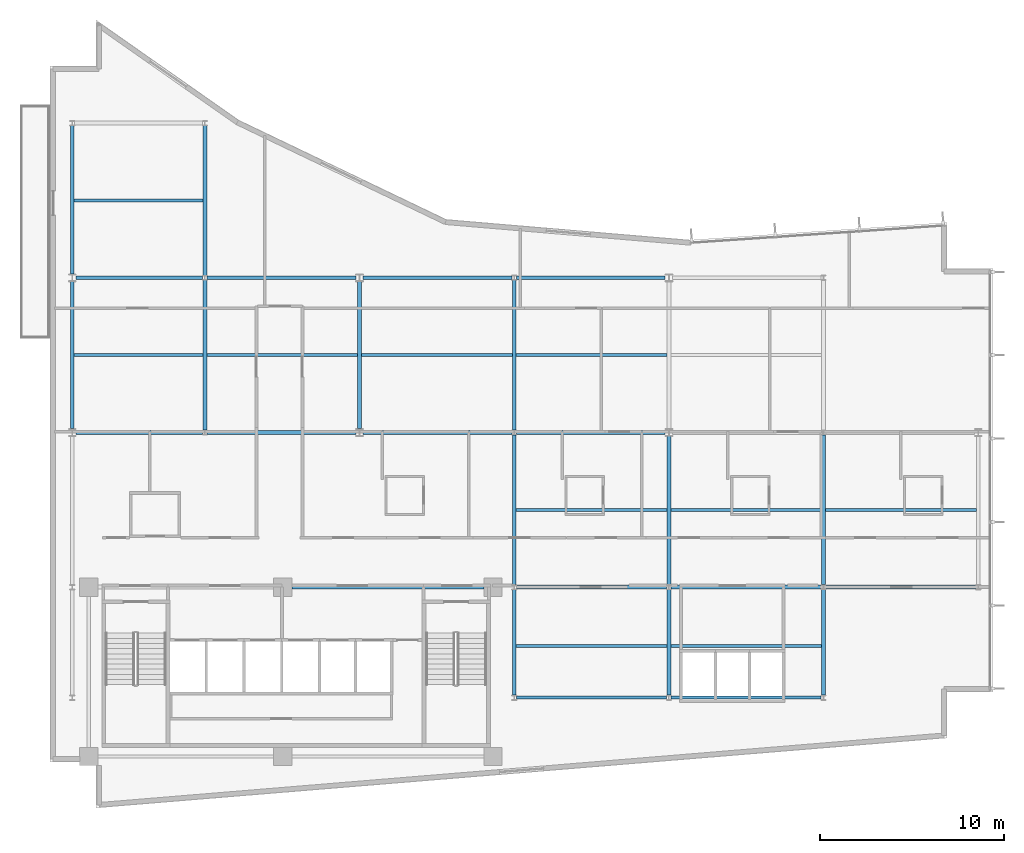
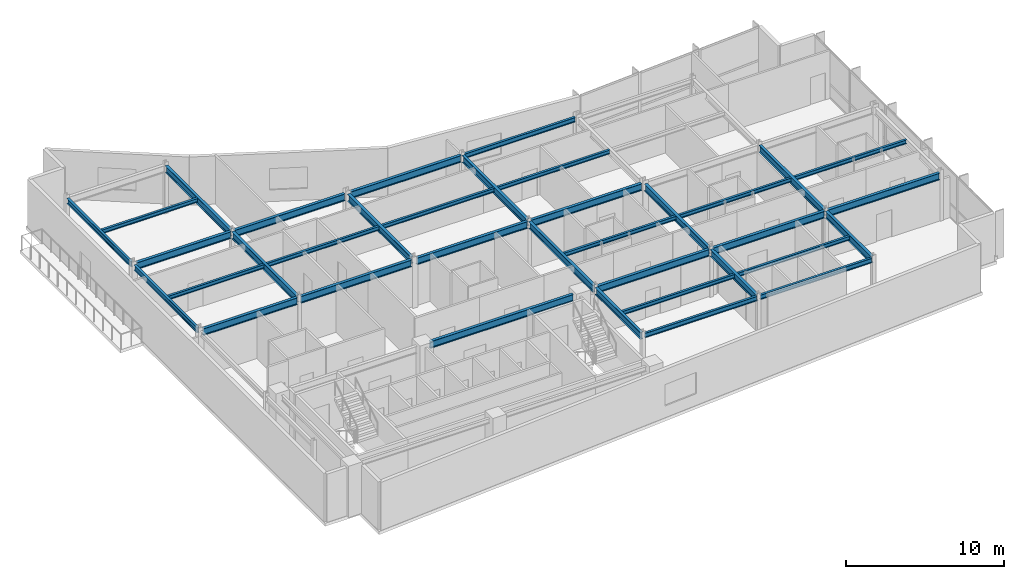
# One storey, part 4 of 17: 36 beams.
"""IFC4 building model written with IfcOpenShell, lengths in metres."""

from ifc_helpers import new_model, si_unit, direction, frame, origin, origin_2d, place, context, subcontext, project, spatial, i_section, extrude, material, material_profile, profile_set, type_object, element, save


model = new_model("IFC4")

# Units and contexts
model_context = context("Model", 3, precision=1e-05, world=origin(), true_north=direction((0.0, 1.0)))
body_context = subcontext(model_context, "Body", "Model", "MODEL_VIEW")
ifc_project = project(units=[si_unit("LENGTHUNIT", "METRE"), si_unit("AREAUNIT", "SQUARE_METRE"), si_unit("VOLUMEUNIT", "CUBIC_METRE"), si_unit("PLANEANGLEUNIT", "RADIAN"), si_unit("MASSUNIT", "GRAM", prefix="KILO")], contexts=[model_context])

# Site, building, storey
site_placement = place(None, origin())
site = spatial("IfcSite", under=ifc_project, at=site_placement, CompositionType="ELEMENT")
building_placement = place(site_placement, origin())
building = spatial("IfcBuilding", under=site, at=building_placement, Name="Varnakote Quay Hospital", CompositionType="ELEMENT")
storey_placement = place(building_placement, frame((0.0, 0.0, 184.199951171875)))
storey = spatial("IfcBuildingStorey", under=building, at=storey_placement, Name="L45", CompositionType="ELEMENT", Elevation=184.199951171875)

# Beams
ifc_material_1 = material(Name="Structural steel AS/NZS 3679.1 Grade 350 L0 (fy 340 MPa)", Category="steel")
ifc_material_profile_1 = material_profile(ifc_material_1, i_section(OverallWidth=0.208984375, OverallDepth=0.532958984375, WebThickness=0.01025390625, FlangeThickness=0.015625, FilletRadius=0.013916015625, at=origin_2d()), Name="530UB92.4")
ifc_profile_set_1 = profile_set([ifc_material_profile_1], Name="Structural steel AS/NZS 3679.1 Grade 350 L0 (fy 340 MPa)")
beam_type_1 = type_object("IfcBeamType", Name="BM-STL-530UB92-4", PredefinedType="BEAM", material=ifc_profile_set_1)
beam_1_placement = place(storey_placement, frame((13.1201171875, 12.0, 3.443603515625), z_axis=(1.0, 0.0, 0.0), x_axis=(0.0, 1.0, 0.0)))
element("IfcBeam", 1, at=beam_1_placement, inside=storey, type_object=beam_type_1, Name="L45 Primary Floor Beam", PredefinedType="BEAM", context=body_context, shape_type="SweptSolid", body=[
    extrude(i_section(OverallWidth=0.208984375, OverallDepth=0.532958984375, WebThickness=0.01025390625, FlangeThickness=0.015625, FilletRadius=0.013916015625, at=origin_2d()), origin(), (0.0, 0.0, 1.0), 10.429931640625),
])
for number, where, z_axis, x_axis, name in (
    (2, (25.327880859375, 12.0, 3.443603515625), (1.0, 0.0, 0.0), (0.0, 1.0, 0.0), "L45 Primary Floor Beam"),
    (3, (33.72802734375, 12.0, 3.443603515625), (1.0, 0.0, 0.0), (0.0, 1.0, 0.0), "L45 Primary Floor Beam"),
    (4, (42.1279296875, 12.0, 3.443603515625), (1.0, 0.0, 0.0), (0.0, 1.0, 0.0), "L45 Primary Floor Beam"),
):
    element("IfcBeam", number, at=place(storey_placement, frame(where, z_axis=z_axis, x_axis=x_axis)), inside=storey, type_object=beam_type_1, Name=name, PredefinedType="BEAM", context=body_context, shape_type="SweptSolid", body=[
        extrude(i_section(OverallWidth=0.208984375, OverallDepth=0.532958984375, WebThickness=0.01025390625, FlangeThickness=0.015625, FilletRadius=0.013916015625, at=origin_2d()), origin(), (0.0, 0.0, 1.0), 8.14404296875),
    ])
beam_2_placement = place(storey_placement, frame((1.39990234375, 20.39990234375, 3.443603515625), z_axis=(1.0, 0.0, 0.0), x_axis=(0.0, 1.0, 0.0)))
element("IfcBeam", 5, at=beam_2_placement, inside=storey, type_object=beam_type_1, Name="L45 Primary Floor Beam", PredefinedType="BEAM", context=body_context, shape_type="SweptSolid", body=[
    extrude(i_section(OverallWidth=0.208984375, OverallDepth=0.532958984375, WebThickness=0.01025390625, FlangeThickness=0.015625, FilletRadius=0.013916015625, at=origin_2d()), origin(), (0.0, 0.0, 1.0), 6.8720703125),
])
for number, where, z_axis, x_axis, name in (
    (6, (8.528076171875, 20.39990234375, 3.443603515625), (1.0, 0.0, 0.0), (0.0, 1.0, 0.0), "L45 Primary Floor Beam"),
    (7, (17.0, 20.39990234375, 3.443603515625), (1.0, 0.0, 0.0), (0.0, 1.0, 0.0), "L45 Primary Floor Beam"),
    (8, (25.327880859375, 20.39990234375, 3.443603515625), (1.0, 0.0, 0.0), (0.0, 1.0, 0.0), "L45 Primary Floor Beam"),
):
    element("IfcBeam", number, at=place(storey_placement, frame(where, z_axis=z_axis, x_axis=x_axis)), inside=storey, type_object=beam_type_1, Name=name, PredefinedType="BEAM", context=body_context, shape_type="SweptSolid", body=[
        extrude(i_section(OverallWidth=0.208984375, OverallDepth=0.532958984375, WebThickness=0.01025390625, FlangeThickness=0.015625, FilletRadius=0.013916015625, at=origin_2d()), origin(), (0.0, 0.0, 1.0), 8.072021484375),
    ])
beam_3_placement = place(storey_placement, frame((1.39990234375, 28.800048828125, 3.443603515625), z_axis=(1.0, 0.0, 0.0), x_axis=(0.0, 1.0, 0.0)))
element("IfcBeam", 9, at=beam_3_placement, inside=storey, type_object=beam_type_1, Name="L45 Primary Floor Beam", PredefinedType="BEAM", context=body_context, shape_type="SweptSolid", body=[
    extrude(i_section(OverallWidth=0.208984375, OverallDepth=0.532958984375, WebThickness=0.01025390625, FlangeThickness=0.015625, FilletRadius=0.013916015625, at=origin_2d()), origin(), (0.0, 0.0, 1.0), 6.8720703125),
])
for number, where, z_axis, x_axis, name in (
    (10, (8.528076171875, 28.800048828125, 3.443603515625), (1.0, 0.0, 0.0), (0.0, 1.0, 0.0), "L45 Primary Floor Beam"),
    (11, (17.0, 28.800048828125, 3.443603515625), (1.0, 0.0, 0.0), (0.0, 1.0, 0.0), "L45 Primary Floor Beam"),
):
    element("IfcBeam", number, at=place(storey_placement, frame(where, z_axis=z_axis, x_axis=x_axis)), inside=storey, type_object=beam_type_1, Name=name, PredefinedType="BEAM", context=body_context, shape_type="SweptSolid", body=[
        extrude(i_section(OverallWidth=0.208984375, OverallDepth=0.532958984375, WebThickness=0.01025390625, FlangeThickness=0.015625, FilletRadius=0.013916015625, at=origin_2d()), origin(), (0.0, 0.0, 1.0), 8.072021484375),
    ])
beam_4_placement = place(storey_placement, frame((8.39990234375, 20.530029296875, 3.443603515625), z_axis=(0.0, 1.0, 0.0), x_axis=(-1.0, 0.0, 0.0)))
element("IfcBeam", 12, at=beam_4_placement, inside=storey, type_object=beam_type_1, Name="L45 Primary Tie Beam", PredefinedType="BEAM", context=body_context, shape_type="SweptSolid", body=[
    extrude(i_section(OverallWidth=0.208984375, OverallDepth=0.532958984375, WebThickness=0.01025390625, FlangeThickness=0.015625, FilletRadius=0.013916015625, at=origin_2d()), origin(), (0.0, 0.0, 1.0), 8.139892578125),
])
beam_5_placement = place(storey_placement, frame((8.39990234375, 28.929931640625, 3.443603515625), z_axis=(0.0, 1.0, 0.0), x_axis=(-1.0, 0.0, 0.0)))
element("IfcBeam", 13, at=beam_5_placement, inside=storey, type_object=beam_type_1, Name="L45 Primary Tie Beam", PredefinedType="BEAM", context=body_context, shape_type="SweptSolid", body=[
    extrude(i_section(OverallWidth=0.208984375, OverallDepth=0.532958984375, WebThickness=0.01025390625, FlangeThickness=0.015625, FilletRadius=0.013916015625, at=origin_2d()), origin(), (0.0, 0.0, 1.0), 8.14013671875),
])
beam_6_placement = place(storey_placement, frame((16.800048828125, 20.60205078125, 3.443603515625), z_axis=(0.0, 1.0, 0.0), x_axis=(-1.0, 0.0, 0.0)))
element("IfcBeam", 14, at=beam_6_placement, inside=storey, type_object=beam_type_1, Name="L45 Primary Tie Beam", PredefinedType="BEAM", context=body_context, shape_type="SweptSolid", body=[
    extrude(i_section(OverallWidth=0.208984375, OverallDepth=0.532958984375, WebThickness=0.01025390625, FlangeThickness=0.015625, FilletRadius=0.013916015625, at=origin_2d()), origin(), (0.0, 0.0, 1.0), 7.995849609375),
])
beam_7_placement = place(storey_placement, frame((25.199951171875, 6.1298828125, 3.443603515625), z_axis=(0.0, 1.0, 0.0), x_axis=(-1.0, 0.0, 0.0)))
element("IfcBeam", 15, at=beam_7_placement, inside=storey, type_object=beam_type_1, Name="L45 Primary Tie Beam", PredefinedType="BEAM", context=body_context, shape_type="SweptSolid", body=[
    extrude(i_section(OverallWidth=0.208984375, OverallDepth=0.532958984375, WebThickness=0.01025390625, FlangeThickness=0.015625, FilletRadius=0.013916015625, at=origin_2d()), origin(), (0.0, 0.0, 1.0), 5.740234375),
])
beam_8_placement = place(storey_placement, frame((25.199951171875, 12.1298828125, 3.443603515625), z_axis=(0.0, 1.0, 0.0), x_axis=(-1.0, 0.0, 0.0)))
element("IfcBeam", 16, at=beam_8_placement, inside=storey, type_object=beam_type_1, Name="L45 Primary Tie Beam", PredefinedType="BEAM", context=body_context, shape_type="SweptSolid", body=[
    extrude(i_section(OverallWidth=0.208984375, OverallDepth=0.532958984375, WebThickness=0.01025390625, FlangeThickness=0.015625, FilletRadius=0.013916015625, at=origin_2d()), origin(), (0.0, 0.0, 1.0), 8.14013671875),
])
beam_9_placement = place(storey_placement, frame((25.199951171875, 20.530029296875, 3.443603515625), z_axis=(0.0, 1.0, 0.0), x_axis=(-1.0, 0.0, 0.0)))
element("IfcBeam", 17, at=beam_9_placement, inside=storey, type_object=beam_type_1, Name="L45 Primary Tie Beam", PredefinedType="BEAM", context=body_context, shape_type="SweptSolid", body=[
    extrude(i_section(OverallWidth=0.208984375, OverallDepth=0.532958984375, WebThickness=0.01025390625, FlangeThickness=0.015625, FilletRadius=0.013916015625, at=origin_2d()), origin(), (0.0, 0.0, 1.0), 8.139892578125),
])
beam_10_placement = place(storey_placement, frame((33.60009765625, 6.1298828125, 3.443603515625), z_axis=(0.0, 1.0, 0.0), x_axis=(-1.0, 0.0, 0.0)))
element("IfcBeam", 18, at=beam_10_placement, inside=storey, type_object=beam_type_1, Name="L45 Primary Tie Beam", PredefinedType="BEAM", context=body_context, shape_type="SweptSolid", body=[
    extrude(i_section(OverallWidth=0.208984375, OverallDepth=0.532958984375, WebThickness=0.01025390625, FlangeThickness=0.015625, FilletRadius=0.013916015625, at=origin_2d()), origin(), (0.0, 0.0, 1.0), 5.740234375),
])
beam_11_placement = place(storey_placement, frame((33.60009765625, 12.1298828125, 3.443603515625), z_axis=(0.0, 1.0, 0.0), x_axis=(-1.0, 0.0, 0.0)))
element("IfcBeam", 19, at=beam_11_placement, inside=storey, type_object=beam_type_1, Name="L45 Primary Tie Beam", PredefinedType="BEAM", context=body_context, shape_type="SweptSolid", body=[
    extrude(i_section(OverallWidth=0.208984375, OverallDepth=0.532958984375, WebThickness=0.01025390625, FlangeThickness=0.015625, FilletRadius=0.013916015625, at=origin_2d()), origin(), (0.0, 0.0, 1.0), 8.068115234375),
])
beam_12_placement = place(storey_placement, frame((42.0, 6.1298828125, 3.443603515625), z_axis=(0.0, 1.0, 0.0), x_axis=(-1.0, 0.0, 0.0)))
element("IfcBeam", 20, at=beam_12_placement, inside=storey, type_object=beam_type_1, Name="L45 Primary Tie Beam", PredefinedType="BEAM", context=body_context, shape_type="SweptSolid", body=[
    extrude(i_section(OverallWidth=0.208984375, OverallDepth=0.532958984375, WebThickness=0.01025390625, FlangeThickness=0.015625, FilletRadius=0.013916015625, at=origin_2d()), origin(), (0.0, 0.0, 1.0), 5.740234375),
])
beam_13_placement = place(storey_placement, frame((42.0, 12.1298828125, 3.443603515625), z_axis=(0.0, 1.0, 0.0), x_axis=(-1.0, 0.0, 0.0)))
element("IfcBeam", 21, at=beam_13_placement, inside=storey, type_object=beam_type_1, Name="L45 Primary Tie Beam", PredefinedType="BEAM", context=body_context, shape_type="SweptSolid", body=[
    extrude(i_section(OverallWidth=0.208984375, OverallDepth=0.532958984375, WebThickness=0.01025390625, FlangeThickness=0.015625, FilletRadius=0.013916015625, at=origin_2d()), origin(), (0.0, 0.0, 1.0), 8.14013671875),
])
ifc_material_2 = material(Name="Structural steel AS/NZS 3679.1 Grade 350 L0 (fy 340 MPa)", Category="steel")
ifc_material_profile_2 = material_profile(ifc_material_2, i_section(OverallWidth=0.1650390625, OverallDepth=0.303955078125, WebThickness=0.006103515625, FlangeThickness=0.01025390625, FilletRadius=0.011474609375, at=origin_2d()), Name="310UB40.4")
ifc_profile_set_2 = profile_set([ifc_material_profile_2], Name="Structural steel AS/NZS 3679.1 Grade 350 L0 (fy 340 MPa)")
beam_type_2 = type_object("IfcBeamType", Name="JST-STL-310UB40-4", PredefinedType="JOIST", material=ifc_profile_set_2)
beam_14_placement = place(storey_placement, frame((25.304443359375, 8.800048828125, 3.55810546875), z_axis=(1.0, 0.0, 0.0), x_axis=(0.0, 1.0, 0.0)))
element("IfcBeam", 22, at=beam_14_placement, inside=storey, type_object=beam_type_2, Name="L45 Composite Floor Joist", PredefinedType="JOIST", context=body_context, shape_type="SweptSolid", body=[
    extrude(i_section(OverallWidth=0.1650390625, OverallDepth=0.303955078125, WebThickness=0.006103515625, FlangeThickness=0.01025390625, FilletRadius=0.011474609375, at=origin_2d()), origin(), (0.0, 0.0, 1.0), 8.191162109375),
])
beam_15_placement = place(storey_placement, frame((33.70458984375, 8.800048828125, 3.55810546875), z_axis=(1.0, 0.0, 0.0), x_axis=(0.0, 1.0, 0.0)))
element("IfcBeam", 23, at=beam_15_placement, inside=storey, type_object=beam_type_2, Name="L45 Composite Floor Joist", PredefinedType="JOIST", context=body_context, shape_type="SweptSolid", body=[
    extrude(i_section(OverallWidth=0.1650390625, OverallDepth=0.303955078125, WebThickness=0.006103515625, FlangeThickness=0.01025390625, FilletRadius=0.011474609375, at=origin_2d()), origin(), (0.0, 0.0, 1.0), 8.19091796875),
])
beam_16_placement = place(storey_placement, frame((25.304443359375, 16.199951171875, 3.55810546875), z_axis=(1.0, 0.0, 0.0), x_axis=(0.0, 1.0, 0.0)))
element("IfcBeam", 24, at=beam_16_placement, inside=storey, type_object=beam_type_2, Name="L45 Composite Floor Joist", PredefinedType="JOIST", context=body_context, shape_type="SweptSolid", body=[
    extrude(i_section(OverallWidth=0.1650390625, OverallDepth=0.303955078125, WebThickness=0.006103515625, FlangeThickness=0.01025390625, FilletRadius=0.011474609375, at=origin_2d()), origin(), (0.0, 0.0, 1.0), 8.191162109375),
])
for number, where, z_axis, x_axis, name in (
    (25, (33.70458984375, 16.199951171875, 3.55810546875), (1.0, 0.0, 0.0), (0.0, 1.0, 0.0), "L45 Composite Floor Joist"),
    (26, (42.1044921875, 16.199951171875, 3.55810546875), (1.0, 0.0, 0.0), (0.0, 1.0, 0.0), "L45 Composite Floor Joist"),
):
    element("IfcBeam", number, at=place(storey_placement, frame(where, z_axis=z_axis, x_axis=x_axis)), inside=storey, type_object=beam_type_2, Name=name, PredefinedType="JOIST", context=body_context, shape_type="SweptSolid", body=[
        extrude(i_section(OverallWidth=0.1650390625, OverallDepth=0.303955078125, WebThickness=0.006103515625, FlangeThickness=0.01025390625, FilletRadius=0.011474609375, at=origin_2d()), origin(), (0.0, 0.0, 1.0), 8.19091796875),
    ])
beam_17_placement = place(storey_placement, frame((1.2890625, 24.60009765625, 3.55810546875), z_axis=(1.0, 0.0, 0.0), x_axis=(0.0, 1.0, 0.0)))
element("IfcBeam", 27, at=beam_17_placement, inside=storey, type_object=beam_type_2, Name="L45 Composite Floor Joist", PredefinedType="JOIST", context=body_context, shape_type="SweptSolid", body=[
    extrude(i_section(OverallWidth=0.1650390625, OverallDepth=0.303955078125, WebThickness=0.006103515625, FlangeThickness=0.01025390625, FilletRadius=0.011474609375, at=origin_2d()), origin(), (0.0, 0.0, 1.0), 7.00634765625),
])
beam_18_placement = place(storey_placement, frame((8.50439453125, 24.60009765625, 3.55810546875), z_axis=(1.0, 0.0, 0.0), x_axis=(0.0, 1.0, 0.0)))
element("IfcBeam", 28, at=beam_18_placement, inside=storey, type_object=beam_type_2, Name="L45 Composite Floor Joist", PredefinedType="JOIST", context=body_context, shape_type="SweptSolid", body=[
    extrude(i_section(OverallWidth=0.1650390625, OverallDepth=0.303955078125, WebThickness=0.006103515625, FlangeThickness=0.01025390625, FilletRadius=0.011474609375, at=origin_2d()), origin(), (0.0, 0.0, 1.0), 8.191162109375),
])
beam_19_placement = place(storey_placement, frame((16.904541015625, 24.60009765625, 3.55810546875), z_axis=(1.0, 0.0, 0.0), x_axis=(0.0, 1.0, 0.0)))
element("IfcBeam", 29, at=beam_19_placement, inside=storey, type_object=beam_type_2, Name="L45 Composite Floor Joist", PredefinedType="JOIST", context=body_context, shape_type="SweptSolid", body=[
    extrude(i_section(OverallWidth=0.1650390625, OverallDepth=0.303955078125, WebThickness=0.006103515625, FlangeThickness=0.01025390625, FilletRadius=0.011474609375, at=origin_2d()), origin(), (0.0, 0.0, 1.0), 8.19091796875),
])
beam_20_placement = place(storey_placement, frame((25.304443359375, 24.60009765625, 3.55810546875), z_axis=(1.0, 0.0, 0.0), x_axis=(0.0, 1.0, 0.0)))
element("IfcBeam", 30, at=beam_20_placement, inside=storey, type_object=beam_type_2, Name="L45 Composite Floor Joist", PredefinedType="JOIST", context=body_context, shape_type="SweptSolid", body=[
    extrude(i_section(OverallWidth=0.1650390625, OverallDepth=0.303955078125, WebThickness=0.006103515625, FlangeThickness=0.01025390625, FilletRadius=0.011474609375, at=origin_2d()), origin(), (0.0, 0.0, 1.0), 8.191162109375),
])
beam_21_placement = place(storey_placement, frame((1.2890625, 33.0, 3.55810546875), z_axis=(1.0, 0.0, 0.0), x_axis=(0.0, 1.0, 0.0)))
element("IfcBeam", 31, at=beam_21_placement, inside=storey, type_object=beam_type_2, Name="L45 Composite Floor Joist", PredefinedType="JOIST", context=body_context, shape_type="SweptSolid", body=[
    extrude(i_section(OverallWidth=0.1650390625, OverallDepth=0.303955078125, WebThickness=0.006103515625, FlangeThickness=0.01025390625, FilletRadius=0.011474609375, at=origin_2d()), origin(), (0.0, 0.0, 1.0), 7.00634765625),
])
ifc_material_3 = material(Name="Structural steel AS/NZS 3679.1 Grade 350 L0 (fy 340 MPa)", Category="steel")
ifc_material_profile_3 = material_profile(ifc_material_3, i_section(OverallWidth=0.172119140625, OverallDepth=0.35888671875, WebThickness=0.008056640625, FlangeThickness=0.012939453125, FilletRadius=0.011474609375, at=origin_2d()), Name="360UB56.7")
ifc_profile_set_3 = profile_set([ifc_material_profile_3], Name="Structural steel AS/NZS 3679.1 Grade 350 L0 (fy 340 MPa)")
beam_type_3 = type_object("IfcBeamType", Name="SPN-STL-360UB56-7", PredefinedType="SPANDREL", material=ifc_profile_set_3)
for number, where, z_axis, x_axis, name in (
    (32, (25.327880859375, 6.0, 3.530517578125), (1.0, 0.0, 0.0), (0.0, 1.0, 0.0), "L45 Perimeter Spandrel Beam"),
    (33, (33.72802734375, 6.0, 3.530517578125), (1.0, 0.0, 0.0), (0.0, 1.0, 0.0), "L45 Perimeter Spandrel Beam"),
):
    element("IfcBeam", number, at=place(storey_placement, frame(where, z_axis=z_axis, x_axis=x_axis)), inside=storey, type_object=beam_type_3, Name=name, PredefinedType="SPANDREL", context=body_context, shape_type="SweptSolid", body=[
        extrude(i_section(OverallWidth=0.172119140625, OverallDepth=0.35888671875, WebThickness=0.008056640625, FlangeThickness=0.012939453125, FilletRadius=0.011474609375, at=origin_2d()), origin(), (0.0, 0.0, 1.0), 8.14404296875),
    ])
beam_22_placement = place(storey_placement, frame((25.327880859375, 28.800048828125, 3.530517578125), z_axis=(1.0, 0.0, 0.0), x_axis=(0.0, 1.0, 0.0)))
element("IfcBeam", 34, at=beam_22_placement, inside=storey, type_object=beam_type_3, Name="L45 Perimeter Spandrel Beam", PredefinedType="SPANDREL", context=body_context, shape_type="SweptSolid", body=[
    extrude(i_section(OverallWidth=0.172119140625, OverallDepth=0.35888671875, WebThickness=0.008056640625, FlangeThickness=0.012939453125, FilletRadius=0.011474609375, at=origin_2d()), origin(), (0.0, 0.0, 1.0), 8.072021484375),
])
ifc_material_4 = material(Name="Structural steel AS/NZS 3679.1 Grade 350 L0 (fy 340 MPa)", Category="steel")
ifc_material_profile_4 = material_profile(ifc_material_4, i_section(OverallWidth=0.177978515625, OverallDepth=0.403076171875, WebThickness=0.007568359375, FlangeThickness=0.010986328125, FilletRadius=0.011474609375, at=origin_2d()), Name="410UB53.7")
ifc_profile_set_4 = profile_set([ifc_material_profile_4], Name="Structural steel AS/NZS 3679.1 Grade 350 L0 (fy 340 MPa)")
beam_type_4 = type_object("IfcBeamType", Name="SPN-STL-410UB53-7", PredefinedType="SPANDREL", material=ifc_profile_set_4)
beam_23_placement = place(storey_placement, frame((1.199951171875, 20.60205078125, 3.508544921875), z_axis=(0.0, 1.0, 0.0), x_axis=(-1.0, 0.0, 0.0)))
element("IfcBeam", 35, at=beam_23_placement, inside=storey, type_object=beam_type_4, Name="L45 Perimeter Spandrel Beam", PredefinedType="SPANDREL", context=body_context, shape_type="SweptSolid", body=[
    extrude(i_section(OverallWidth=0.177978515625, OverallDepth=0.403076171875, WebThickness=0.007568359375, FlangeThickness=0.010986328125, FilletRadius=0.011474609375, at=origin_2d()), origin(), (0.0, 0.0, 1.0), 7.995849609375),
])
beam_24_placement = place(storey_placement, frame((1.199951171875, 29.001953125, 3.508544921875), z_axis=(0.0, 1.0, 0.0), x_axis=(-1.0, 0.0, 0.0)))
element("IfcBeam", 36, at=beam_24_placement, inside=storey, type_object=beam_type_4, Name="L45 Perimeter Spandrel Beam", PredefinedType="SPANDREL", context=body_context, shape_type="SweptSolid", body=[
    extrude(i_section(OverallWidth=0.177978515625, OverallDepth=0.403076171875, WebThickness=0.007568359375, FlangeThickness=0.010986328125, FilletRadius=0.011474609375, at=origin_2d()), origin(), (0.0, 0.0, 1.0), 8.068115234375),
])

save(model, "model.ifc")
